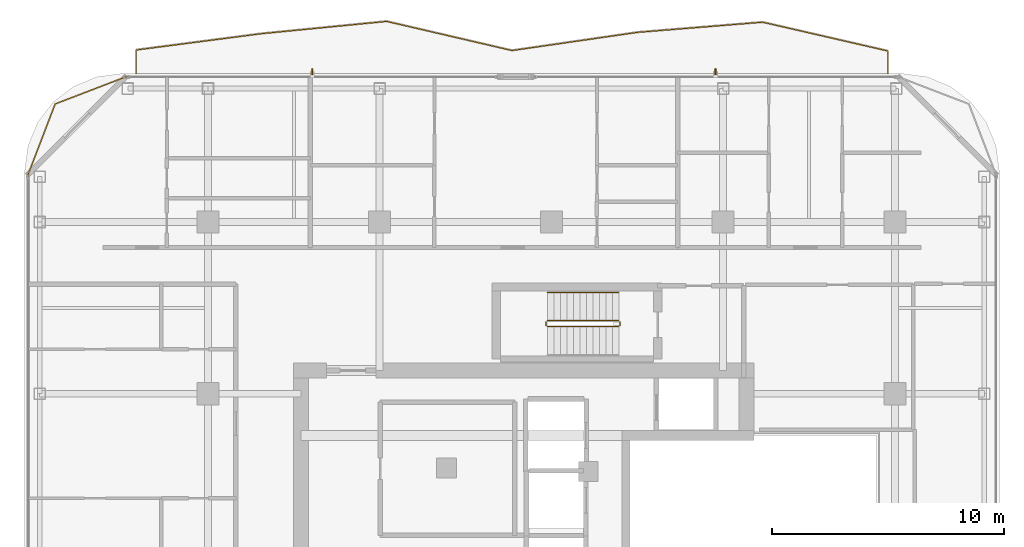
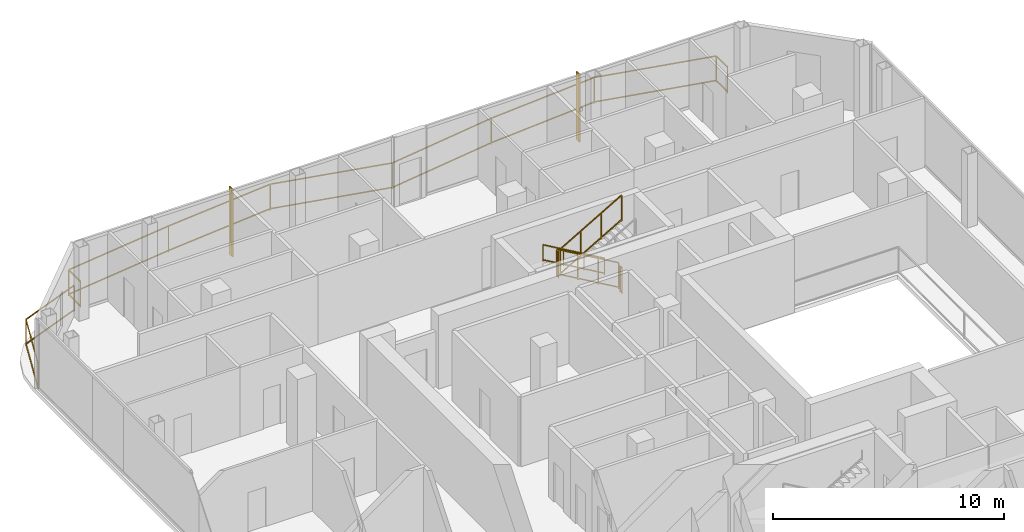
# One storey, part 25 of 26: 7 railings, 2 shading devices.
"""IFC4 building model written with IfcOpenShell, lengths in metres."""

from ifc_helpers import new_model, si_unit, direction, frame, origin, origin_2d, place, context, subcontext, project, spatial, rectangle, extrude, material, layer, layer_set, type_object, element, save


model = new_model("IFC4")

# Units and contexts
model_context = context("Model", 3, precision=1e-05, world=origin(), true_north=direction((0.0, 1.0)))
body_context = subcontext(model_context, "Body", "Model", "MODEL_VIEW")
ifc_project = project(units=[si_unit("LENGTHUNIT", "METRE"), si_unit("AREAUNIT", "SQUARE_METRE"), si_unit("VOLUMEUNIT", "CUBIC_METRE"), si_unit("PLANEANGLEUNIT", "RADIAN"), si_unit("MASSUNIT", "GRAM", prefix="KILO")], contexts=[model_context])

# Site, building, storey
site_placement = place(None, origin())
site = spatial("IfcSite", under=ifc_project, at=site_placement, CompositionType="ELEMENT")
building_placement = place(site_placement, origin())
building = spatial("IfcBuilding", under=site, at=building_placement, Name="Khorvyn Point Tower", CompositionType="ELEMENT")
storey_placement = place(building_placement, frame((0.0, 0.0, 289.800048828125)))
storey = spatial("IfcBuildingStorey", under=building, at=storey_placement, Name="L71", CompositionType="ELEMENT", Elevation=289.800048828125)

# Railings
ifc_material_1 = material(Name="Anodised aluminium 6063-T6 and laminated safety glass", Category="aluminium")
railing_type_1 = type_object("IfcRailingType", Name="Laminated Glass and Aluminium Balcony Guardrail 1400", PredefinedType="BALUSTRADE", material=ifc_material_1)
railing_1_placement = place(storey_placement, frame((-18.28662109375, 21.074462890625, 0.0)))
element("IfcRailing", 1, at=railing_1_placement, inside=storey, type_object=railing_type_1, Name="L71 Rounded Corner Edge Guardrail NW", PredefinedType="BALUSTRADE", context=body_context, shape_type="SweptSolid", body=[
    extrude(rectangle(XDim=0.048095703125, YDim=0.048095703125, at=origin_2d()), frame((0.0, 0.0, 1.3759765625), z_axis=(-0.93357103624, -0.358392411044, 0.0), x_axis=(0.358392411044, -0.93357103624, 0.0)), (0.0, 0.0, 1.0), 3.31884765625),
    extrude(rectangle(XDim=0.048095703125, YDim=0.048095703125, at=origin_2d()), frame((0.0, 0.0, 0.080078125), z_axis=(-0.93357103624, -0.358392411044, 0.0), x_axis=(0.358392411044, -0.93357103624, 0.0)), (0.0, 0.0, 1.0), 3.31884765625),
    extrude(rectangle(XDim=0.048095703125, YDim=0.048095703125, at=origin_2d()), frame((-3.098388671875, -1.189453125, 1.3759765625), z_axis=(-0.358392411044, -0.93357103624, 0.0), x_axis=(0.93357103624, -0.358392411044, 0.0)), (0.0, 0.0, 1.0), 3.31884765625),
    extrude(rectangle(XDim=0.048095703125, YDim=0.048095703125, at=origin_2d()), frame((-3.098388671875, -1.189453125, 0.080078125), z_axis=(-0.358392411044, -0.93357103624, 0.0), x_axis=(0.93357103624, -0.358392411044, 0.0)), (0.0, 0.0, 1.0), 3.31884765625),
    extrude(rectangle(XDim=0.0419921875, YDim=0.0419921875, at=origin_2d()), origin(), (0.0, 0.0, 1.0), 1.351806640625),
    extrude(rectangle(XDim=0.0419921875, YDim=0.0419921875, at=origin_2d()), frame((-3.098388671875, -1.189453125, 0.0)), (0.0, 0.0, 1.0), 1.351806640625),
    extrude(rectangle(XDim=0.0419921875, YDim=0.0419921875, at=origin_2d()), frame((-4.287841796875, -4.287841796875, 0.0)), (0.0, 0.0, 1.0), 1.351806640625),
])
railing_2_placement = place(storey_placement, frame((14.5, 21.199951171875, 0.0)))
element("IfcRailing", 2, at=railing_2_placement, inside=storey, type_object=railing_type_1, Name="L71 North Balcony Guardrail", PredefinedType="BALUSTRADE", context=body_context, shape_type="SweptSolid", body=[
    extrude(rectangle(XDim=0.048095703125, YDim=0.048095703125, at=origin_2d()), frame((0.0, 0.0, 1.3759765625), z_axis=(0.0, 1.0, 0.0), x_axis=(-1.0, 0.0, 0.0)), (0.0, 0.0, 1.0), 0.968017578125),
    extrude(rectangle(XDim=0.048095703125, YDim=0.048095703125, at=origin_2d()), frame((0.0, 0.0, 0.080078125), z_axis=(0.0, 1.0, 0.0), x_axis=(-1.0, 0.0, 0.0)), (0.0, 0.0, 1.0), 0.968017578125),
    extrude(rectangle(XDim=0.048095703125, YDim=0.048095703125, at=origin_2d()), frame((0.0, 0.968017578125, 1.3759765625), z_axis=(-0.974604637949, 0.223932578445, 0.0), x_axis=(-0.223932578445, -0.974604637949, 0.0)), (0.0, 0.0, 1.0), 5.54052734375),
    extrude(rectangle(XDim=0.048095703125, YDim=0.048095703125, at=origin_2d()), frame((0.0, 0.968017578125, 0.080078125), z_axis=(-0.974604637949, 0.223932578445, 0.0), x_axis=(-0.223932578445, -0.974604637949, 0.0)), (0.0, 0.0, 1.0), 5.54052734375),
    extrude(rectangle(XDim=0.048095703125, YDim=0.048095703125, at=origin_2d()), frame((-5.39990234375, 2.208740234375, 1.3759765625), z_axis=(-0.996730617582, -0.080796509667, 0.0), x_axis=(0.080796509667, -0.996730617582, 0.0)), (0.0, 0.0, 1.0), 5.41796875),
    extrude(rectangle(XDim=0.048095703125, YDim=0.048095703125, at=origin_2d()), frame((-5.39990234375, 2.208740234375, 0.080078125), z_axis=(-0.996730617582, -0.080796509667, 0.0), x_axis=(0.080796509667, -0.996730617582, 0.0)), (0.0, 0.0, 1.0), 5.41796875),
    extrude(rectangle(XDim=0.048095703125, YDim=0.048095703125, at=origin_2d()), frame((-10.800048828125, 1.77099609375, 1.3759765625), z_axis=(-0.989644760952, -0.143538312376, 0.0), x_axis=(0.143538312376, -0.989644760952, 0.0)), (0.0, 0.0, 1.0), 5.456298828125),
    extrude(rectangle(XDim=0.048095703125, YDim=0.048095703125, at=origin_2d()), frame((-10.800048828125, 1.77099609375, 0.080078125), z_axis=(-0.989644760952, -0.143538312376, 0.0), x_axis=(0.143538312376, -0.989644760952, 0.0)), (0.0, 0.0, 1.0), 5.456298828125),
    extrude(rectangle(XDim=0.048095703125, YDim=0.048095703125, at=origin_2d()), frame((-16.199951171875, 0.98779296875, 1.3759765625), z_axis=(-0.973988141336, 0.22659898618, 0.0), x_axis=(-0.22659898618, -0.973988141336, 0.0)), (0.0, 0.0, 1.0), 5.54443359375),
    extrude(rectangle(XDim=0.048095703125, YDim=0.048095703125, at=origin_2d()), frame((-16.199951171875, 0.98779296875, 0.080078125), z_axis=(-0.973988141336, 0.22659898618, 0.0), x_axis=(-0.22659898618, -0.973988141336, 0.0)), (0.0, 0.0, 1.0), 5.54443359375),
    extrude(rectangle(XDim=0.048095703125, YDim=0.048095703125, at=origin_2d()), frame((-21.60009765625, 2.244140625, 1.3759765625), z_axis=(-0.995221668741, -0.097641333808, 0.0), x_axis=(0.097641333808, -0.995221668741, 0.0)), (0.0, 0.0, 1.0), 5.42578125),
    extrude(rectangle(XDim=0.048095703125, YDim=0.048095703125, at=origin_2d()), frame((-21.60009765625, 2.244140625, 0.080078125), z_axis=(-0.995221668741, -0.097641333808, 0.0), x_axis=(0.097641333808, -0.995221668741, 0.0)), (0.0, 0.0, 1.0), 5.42578125),
    extrude(rectangle(XDim=0.048095703125, YDim=0.048095703125, at=origin_2d()), frame((-27.0, 1.71435546875, 1.3759765625), z_axis=(-0.991634626797, -0.129076593297, 0.0), x_axis=(0.129076593297, -0.991634626797, 0.0)), (0.0, 0.0, 1.0), 5.445556640625),
    extrude(rectangle(XDim=0.048095703125, YDim=0.048095703125, at=origin_2d()), frame((-27.0, 1.71435546875, 0.080078125), z_axis=(-0.991634626797, -0.129076593297, 0.0), x_axis=(0.129076593297, -0.991634626797, 0.0)), (0.0, 0.0, 1.0), 5.445556640625),
    extrude(rectangle(XDim=0.048095703125, YDim=0.048095703125, at=origin_2d()), frame((-32.39990234375, 1.011474609375, 1.3759765625), z_axis=(0.0, -1.0, 0.0), x_axis=(1.0, 0.0, 0.0)), (0.0, 0.0, 1.0), 1.011474609375),
    extrude(rectangle(XDim=0.048095703125, YDim=0.048095703125, at=origin_2d()), frame((-32.39990234375, 1.011474609375, 0.080078125), z_axis=(0.0, -1.0, 0.0), x_axis=(1.0, 0.0, 0.0)), (0.0, 0.0, 1.0), 1.011474609375),
    extrude(rectangle(XDim=0.0419921875, YDim=0.0419921875, at=origin_2d()), origin(), (0.0, 0.0, 1.0), 1.351806640625),
    extrude(rectangle(XDim=0.0419921875, YDim=0.0419921875, at=origin_2d()), frame((0.0, 0.968017578125, 0.0)), (0.0, 0.0, 1.0), 1.351806640625),
    extrude(rectangle(XDim=0.0419921875, YDim=0.0419921875, at=origin_2d()), frame((-5.39990234375, 2.208740234375, 0.0)), (0.0, 0.0, 1.0), 1.351806640625),
    extrude(rectangle(XDim=0.0419921875, YDim=0.0419921875, at=origin_2d()), frame((-10.800048828125, 1.77099609375, 0.0)), (0.0, 0.0, 1.0), 1.351806640625),
    extrude(rectangle(XDim=0.0419921875, YDim=0.0419921875, at=origin_2d()), frame((-16.199951171875, 0.98779296875, 0.0)), (0.0, 0.0, 1.0), 1.351806640625),
    extrude(rectangle(XDim=0.0419921875, YDim=0.0419921875, at=origin_2d()), frame((-21.60009765625, 2.244140625, 0.0)), (0.0, 0.0, 1.0), 1.351806640625),
    extrude(rectangle(XDim=0.0419921875, YDim=0.0419921875, at=origin_2d()), frame((-27.0, 1.71435546875, 0.0)), (0.0, 0.0, 1.0), 1.351806640625),
    extrude(rectangle(XDim=0.0419921875, YDim=0.0419921875, at=origin_2d()), frame((-32.39990234375, 1.011474609375, 0.0)), (0.0, 0.0, 1.0), 1.351806640625),
    extrude(rectangle(XDim=0.0419921875, YDim=0.0419921875, at=origin_2d()), frame((-32.39990234375, 0.0, 0.0)), (0.0, 0.0, 1.0), 1.351806640625),
])

# Shading devices
ifc_material_2 = material(Name="Pale anodised aluminium 6063-T6", Category="aluminium")
ifc_layer = layer(ifc_material_2, 0.054931640625)
ifc_layer_set = layer_set([ifc_layer], Name="Pale Anodised Aluminium FIN 260x55")
shading_device_type = type_object("IfcShadingDeviceType", Name="Pale Anodised Aluminium FIN 260x55", PredefinedType="USERDEFINED", material=ifc_layer_set)
for number, where, z_axis, x_axis, name in (
    (3, (-10.304931640625, 21.27001953125, 0.039794921875), (0.0, 0.0, 1.0), (0.0, 1.0, 0.0), "L71 Anodised FIN 01"),
    (4, (7.06494140625, 21.27001953125, 0.039794921875), (0.0, 0.0, 1.0), (0.0, 1.0, 0.0), "L71 Anodised FIN 01"),
):
    element("IfcShadingDevice", number, at=place(storey_placement, frame(where, z_axis=z_axis, x_axis=x_axis)), inside=storey, type_object=shading_device_type, Name=name, ObjectType="FIN", PredefinedType="USERDEFINED", context=body_context, shape_type="SweptSolid", body=[
        extrude(rectangle(XDim=0.260009765625, YDim=0.054931640625, at=origin_2d()), origin(), (0.0, 0.0, 1.0), 3.60009765625),
    ])

# Railings
ifc_material_3 = material(Name="Stainless steel 1.4301", Category="steel")
railing_type_2 = type_object("IfcRailingType", Name="Stainless Steel 304 Stair Pitch Handrail 900", PredefinedType="HANDRAIL", material=ifc_material_3)
railing_3_placement = place(storey_placement, frame((2.89990234375, 11.77001953125, 0.162353515625)))
element("IfcRailing", 5, at=railing_3_placement, inside=storey, type_object=railing_type_2, Name="L71 ST-02 stair handrail 1", PredefinedType="HANDRAIL", context=body_context, shape_type="SweptSolid", body=[
    extrude(rectangle(XDim=0.048095703125, YDim=0.048095703125, at=origin_2d()), frame((0.0, 0.0, 0.8759765625), z_axis=(-0.864873446163, 0.0, 0.501989962173), x_axis=(0.0, -1.0, 0.0)), (0.0, 0.0, 1.0), 3.56103515625),
    extrude(rectangle(XDim=0.048095703125, YDim=0.048095703125, at=origin_2d()), frame((0.0, 0.0, 0.080078125), z_axis=(-0.864873446163, 0.0, 0.501989962173), x_axis=(0.0, -1.0, 0.0)), (0.0, 0.0, 1.0), 3.56103515625),
    extrude(rectangle(XDim=0.0419921875, YDim=0.0419921875, at=origin_2d()), origin(), (0.0, 0.0, 1.0), 0.851806640625),
    extrude(rectangle(XDim=0.0419921875, YDim=0.0419921875, at=origin_2d()), frame((-1.026611328125, 0.0, 0.595947265625)), (0.0, 0.0, 1.0), 0.851806640625),
    extrude(rectangle(XDim=0.0419921875, YDim=0.0419921875, at=origin_2d()), frame((-2.05322265625, 0.0, 1.191650390625)), (0.0, 0.0, 1.0), 0.851806640625),
    extrude(rectangle(XDim=0.0419921875, YDim=0.0419921875, at=origin_2d()), frame((-3.079833984375, 0.0, 1.78759765625)), (0.0, 0.0, 1.0), 0.851806640625),
])
railing_type_3 = type_object("IfcRailingType", Name="Stainless Steel 304 Stair Well Guardrail 1400", PredefinedType="GUARDRAIL", material=ifc_material_3)
railing_4_placement = place(storey_placement, frame((2.89990234375, 10.550048828125, 0.162353515625)))
element("IfcRailing", 6, at=railing_4_placement, inside=storey, type_object=railing_type_3, Name="L71 ST-02 stair guard 1", PredefinedType="GUARDRAIL", context=body_context, shape_type="SweptSolid", body=[
    extrude(rectangle(XDim=0.048095703125, YDim=0.048095703125, at=origin_2d()), frame((0.0, 0.0, 1.3759765625), z_axis=(-0.864873446163, 0.0, 0.501989962173), x_axis=(0.0, -1.0, 0.0)), (0.0, 0.0, 1.0), 3.56103515625),
    extrude(rectangle(XDim=0.048095703125, YDim=0.048095703125, at=origin_2d()), frame((0.0, 0.0, 0.080078125), z_axis=(-0.864873446163, 0.0, 0.501989962173), x_axis=(0.0, -1.0, 0.0)), (0.0, 0.0, 1.0), 3.56103515625),
    extrude(rectangle(XDim=0.0419921875, YDim=0.0419921875, at=origin_2d()), origin(), (0.0, 0.0, 1.0), 1.351806640625),
    extrude(rectangle(XDim=0.0419921875, YDim=0.0419921875, at=origin_2d()), frame((-1.026611328125, 0.0, 0.595947265625)), (0.0, 0.0, 1.0), 1.351806640625),
    extrude(rectangle(XDim=0.0419921875, YDim=0.0419921875, at=origin_2d()), frame((-2.05322265625, 0.0, 1.191650390625)), (0.0, 0.0, 1.0), 1.351806640625),
    extrude(rectangle(XDim=0.0419921875, YDim=0.0419921875, at=origin_2d()), frame((-3.079833984375, 0.0, 1.78759765625)), (0.0, 0.0, 1.0), 1.351806640625),
])
railing_5_placement = place(storey_placement, frame((-0.22998046875, 10.5, 1.949951171875)))
element("IfcRailing", 7, at=railing_5_placement, inside=storey, type_object=railing_type_3, Name="L71 ST-02 stair guard 2", PredefinedType="GUARDRAIL", context=body_context, shape_type="SweptSolid", body=[
    extrude(rectangle(XDim=0.048095703125, YDim=0.048095703125, at=origin_2d()), frame((0.0, 0.0, 1.3759765625), z_axis=(0.0, -1.0, 0.0), x_axis=(1.0, 0.0, 0.0)), (0.0, 0.0, 1.0), 0.159912109375),
    extrude(rectangle(XDim=0.048095703125, YDim=0.048095703125, at=origin_2d()), frame((0.0, 0.0, 0.080078125), z_axis=(0.0, -1.0, 0.0), x_axis=(1.0, 0.0, 0.0)), (0.0, 0.0, 1.0), 0.159912109375),
    extrude(rectangle(XDim=0.0419921875, YDim=0.0419921875, at=origin_2d()), origin(), (0.0, 0.0, 1.0), 1.351806640625),
    extrude(rectangle(XDim=0.0419921875, YDim=0.0419921875, at=origin_2d()), frame((0.0, -0.159912109375, 0.0)), (0.0, 0.0, 1.0), 1.351806640625),
])
railing_6_placement = place(storey_placement, frame((-0.179931640625, 10.2900390625, 2.112548828125)))
element("IfcRailing", 8, at=railing_6_placement, inside=storey, type_object=railing_type_3, Name="L71 ST-02 stair guard 3", PredefinedType="GUARDRAIL", context=body_context, shape_type="SweptSolid", body=[
    extrude(rectangle(XDim=0.048095703125, YDim=0.048095703125, at=origin_2d()), frame((0.0, 0.0, 1.3759765625), z_axis=(0.864903211148, 0.0, 0.501938676878), x_axis=(0.0, 1.0, 0.0)), (0.0, 0.0, 1.0), 3.560791015625),
    extrude(rectangle(XDim=0.048095703125, YDim=0.048095703125, at=origin_2d()), frame((0.0, 0.0, 0.080078125), z_axis=(0.864903211148, 0.0, 0.501938676878), x_axis=(0.0, 1.0, 0.0)), (0.0, 0.0, 1.0), 3.560791015625),
    extrude(rectangle(XDim=0.0419921875, YDim=0.0419921875, at=origin_2d()), origin(), (0.0, 0.0, 1.0), 1.351806640625),
    extrude(rectangle(XDim=0.0419921875, YDim=0.0419921875, at=origin_2d()), frame((1.026611328125, 0.0, 0.595703125)), (0.0, 0.0, 1.0), 1.351806640625),
    extrude(rectangle(XDim=0.0419921875, YDim=0.0419921875, at=origin_2d()), frame((2.05322265625, 0.0, 1.191650390625)), (0.0, 0.0, 1.0), 1.351806640625),
    extrude(rectangle(XDim=0.0419921875, YDim=0.0419921875, at=origin_2d()), frame((3.079833984375, 0.0, 1.787353515625)), (0.0, 0.0, 1.0), 1.351806640625),
])
railing_7_placement = place(storey_placement, frame((2.949951171875, 10.5, 0.0)))
element("IfcRailing", 9, at=railing_7_placement, inside=storey, type_object=railing_type_3, Name="L71 ST-02 stair guard 4", PredefinedType="GUARDRAIL", context=body_context, shape_type="SweptSolid", body=[
    extrude(rectangle(XDim=0.048095703125, YDim=0.048095703125, at=origin_2d()), frame((0.0, 0.0, 1.3759765625), z_axis=(0.0, -1.0, 0.0), x_axis=(1.0, 0.0, 0.0)), (0.0, 0.0, 1.0), 0.159912109375),
    extrude(rectangle(XDim=0.048095703125, YDim=0.048095703125, at=origin_2d()), frame((0.0, 0.0, 0.080078125), z_axis=(0.0, -1.0, 0.0), x_axis=(1.0, 0.0, 0.0)), (0.0, 0.0, 1.0), 0.159912109375),
    extrude(rectangle(XDim=0.0419921875, YDim=0.0419921875, at=origin_2d()), origin(), (0.0, 0.0, 1.0), 1.351806640625),
    extrude(rectangle(XDim=0.0419921875, YDim=0.0419921875, at=origin_2d()), frame((0.0, -0.159912109375, 0.0)), (0.0, 0.0, 1.0), 1.351806640625),
])

save(model, "model.ifc")
